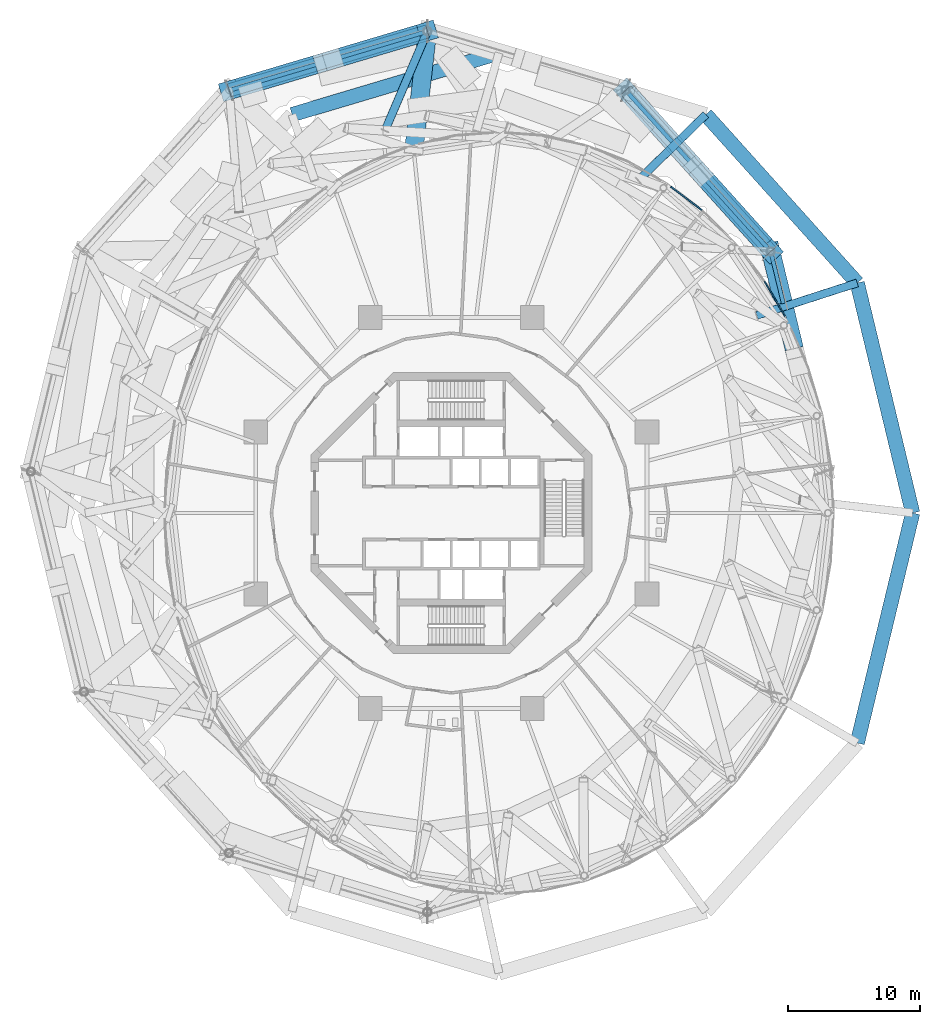
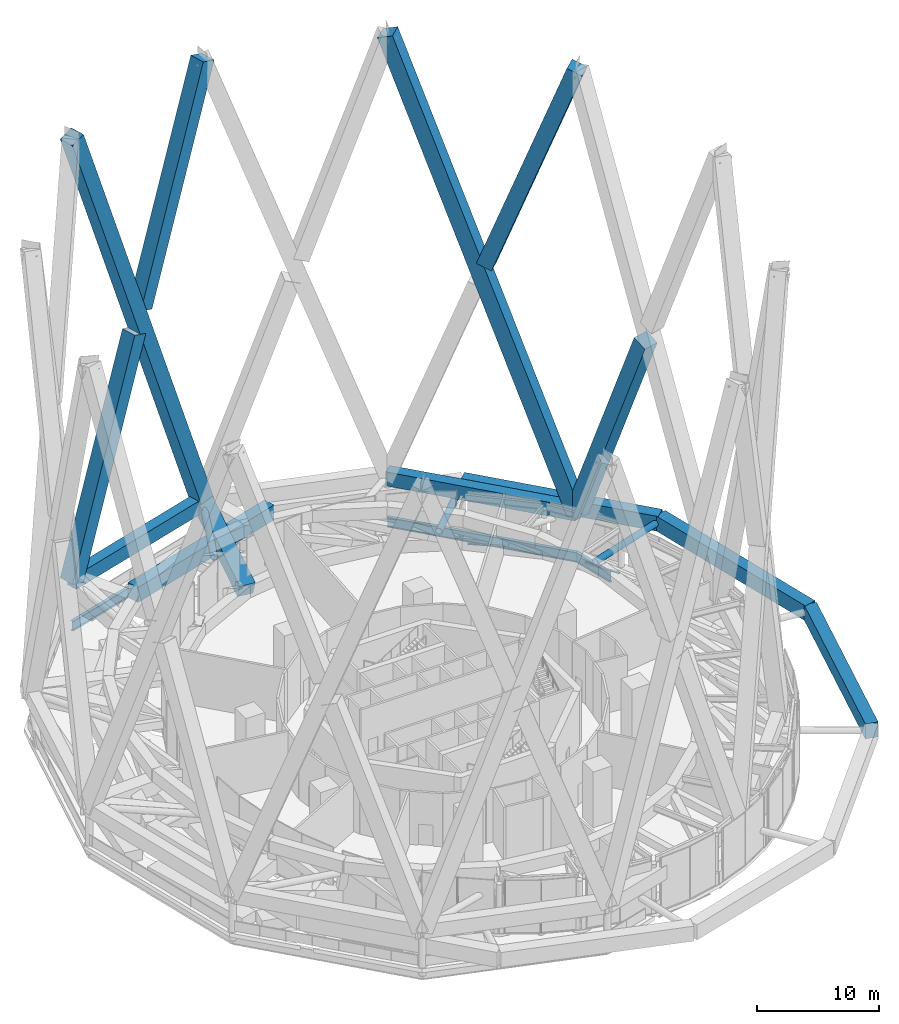
# One storey, part 45 of 60: 18 members, 3 beams, 2 elements without a shape of their own.
"""IFC4 building model written with IfcOpenShell, lengths in metres."""

from ifc_helpers import new_model, si_unit, direction, frame, origin, origin_2d, place, context, subcontext, project, spatial, rectangle, hollow_circle, i_section, extrude, material, layer, layer_set, material_profile, profile_set, type_object, element, aggregate, save


model = new_model("IFC4")

# Units and contexts
model_context = context("Model", 3, precision=1e-05, world=origin(), true_north=direction((0.0, 1.0)))
body_context = subcontext(model_context, "Body", "Model", "MODEL_VIEW")
ifc_project = project(units=[si_unit("LENGTHUNIT", "METRE"), si_unit("AREAUNIT", "SQUARE_METRE"), si_unit("VOLUMEUNIT", "CUBIC_METRE"), si_unit("PLANEANGLEUNIT", "RADIAN"), si_unit("MASSUNIT", "GRAM", prefix="KILO")], contexts=[model_context])

# Site, building, storey
site_placement = place(None, origin())
site = spatial("IfcSite", under=ifc_project, at=site_placement, CompositionType="ELEMENT")
building_placement = place(site_placement, origin())
building = spatial("IfcBuilding", under=site, at=building_placement, Name="Nagisa Residences", CompositionType="ELEMENT")
storey_placement = place(building_placement, frame((0.0, 0.0, 206.60009765625)))
storey = spatial("IfcBuildingStorey", under=building, at=storey_placement, Name="L52", CompositionType="ELEMENT", Elevation=206.60009765625)

# Curtain wall, member
ifc_material_1 = material(Name="Aluminium curtain wall system", Category="aluminium")
ifc_layer = layer(ifc_material_1, 0.159912109375)
ifc_layer_set = layer_set([ifc_layer], Name="CW5 CURTAIN WALL")
curtain_wall_type = type_object("IfcCurtainWallType", Name="CW5 CURTAIN WALL", PredefinedType="NOTDEFINED", material=ifc_layer_set)
curtain_wall_1_placement = place(storey_placement, origin())
curtain_wall_1 = element("IfcCurtainWall", 1, at=curtain_wall_1_placement, inside=storey, type_object=curtain_wall_type, Name="cw:CW5:L52:04", PredefinedType="NOTDEFINED")
ifc_material_2 = material(Name="Aluminium", Category="aluminium")
ifc_material_profile_1 = material_profile(ifc_material_2, rectangle(XDim=0.10009765625, YDim=0.1201171875, at=origin_2d()), Name="CW5 TRANSOM 100x120")
ifc_profile_set_1 = profile_set([ifc_material_profile_1], Name="Aluminium")
member_type_1 = type_object("IfcMemberType", Name="CW5 TRANSOM 100x120", PredefinedType="USERDEFINED", material=ifc_profile_set_1)
member_1_placement = place(storey_placement, frame((25.278564453125, 14.78515625, 0.059814453125), z_axis=(-0.506351440245, 0.862327211076, 0.0), x_axis=(-0.862327211076, -0.506351440245, 0.0)))
member_1 = element("IfcMember", 2, at=member_1_placement, type_object=member_type_1, Name="CW5 transom", ObjectType="TRANSOM", PredefinedType="USERDEFINED", context=body_context, shape_type="SweptSolid", body=[
    extrude(rectangle(XDim=0.10009765625, YDim=0.1201171875, at=origin_2d()), origin(), (0.0, 0.0, 1.0), 3.19189453125),
])
aggregate(curtain_wall_1, [member_1])

curtain_wall_2_placement = place(storey_placement, origin())
curtain_wall_2 = element("IfcCurtainWall", 3, at=curtain_wall_2_placement, inside=storey, type_object=curtain_wall_type, Name="cw:CW5:L52:07", PredefinedType="NOTDEFINED")
member_2_placement = place(storey_placement, frame((18.998779296875, 22.844482421875, 0.059814453125), z_axis=(-0.796020258736, 0.605269979167, 0.0), x_axis=(-0.605269979167, -0.796020258736, 0.0)))
member_2 = element("IfcMember", 4, at=member_2_placement, type_object=member_type_1, Name="CW5 transom", ObjectType="TRANSOM", PredefinedType="USERDEFINED", context=body_context, shape_type="SweptSolid", body=[
    extrude(rectangle(XDim=0.10009765625, YDim=0.1201171875, at=origin_2d()), origin(), (0.0, 0.0, 1.0), 3.0166015625),
])
aggregate(curtain_wall_2, [member_2])

# Members
ifc_material_3 = material(Name="Concrete C80", Category="concrete")
ifc_material_profile_2 = material_profile(ifc_material_3, rectangle(XDim=1.39990234375, YDim=1.39990234375, at=origin_2d()), Name="C80 1400x1400")
ifc_profile_set_2 = profile_set([ifc_material_profile_2], Name="Concrete C80")
member_type_2 = type_object("IfcMemberType", Name="Cage bracket 5 C80 1400x1400", PredefinedType="BRACE", material=ifc_profile_set_2)
member_3_placement = place(storey_placement, frame((-1.800048828125, 36.40771484375, 3.699951171875), z_axis=(-0.108416987116, -0.939902864311, -0.323772084288), x_axis=(0.993412948183, -0.114589329273, 0.0)))
element("IfcMember", 5, at=member_3_placement, inside=storey, type_object=member_type_2, Name="mem:L52:cg4ob01", PredefinedType="BRACE", context=body_context, shape_type="SweptSolid", body=[
    extrude(rectangle(XDim=1.39990234375, YDim=1.39990234375, at=origin_2d()), origin(), (0.0, 0.0, 1.0), 9.574951171875),
])
ifc_material_4 = material(Name="Concrete C80", Category="concrete")
ifc_material_profile_3 = material_profile(ifc_material_4, rectangle(XDim=1.39990234375, YDim=1.39990234375, at=origin_2d()), Name="C80 1400x1400")
ifc_profile_set_3 = profile_set([ifc_material_profile_3], Name="Concrete C80")
member_type_3 = type_object("IfcMemberType", Name="Cage diagonal 5 C80 1400x1400", PredefinedType="BRACE", material=ifc_profile_set_3)
member_4_placement = place(storey_placement, frame((24.15478515625, 19.7626953125, 3.699951171875), z_axis=(0.084212840341, -0.349092719603, 0.933296560929), x_axis=(0.972114541375, 0.234506542442, 0.0)))
element("IfcMember", 6, at=member_4_placement, inside=storey, type_object=member_type_3, Name="mem:L52:cg5d002a", PredefinedType="BRACE", context=body_context, shape_type="SweptSolid", body=[
    extrude(rectangle(XDim=1.39990234375, YDim=1.39990234375, at=origin_2d()), origin(), (0.0, 0.0, 1.0), 22.81591796875),
])
member_5_placement = place(storey_placement, frame((24.15478515625, 19.7626953125, 3.699951171875), z_axis=(-0.231310436401, 0.25693723584, 0.938338285935), x_axis=(-0.743197883357, -0.669071674915, 0.0)))
element("IfcMember", 7, at=member_5_placement, inside=storey, type_object=member_type_3, Name="mem:L52:cg5d003", PredefinedType="BRACE", context=body_context, shape_type="SweptSolid", body=[
    extrude(rectangle(XDim=1.39990234375, YDim=1.39990234375, at=origin_2d()), origin(), (0.0, 0.0, 1.0), 47.42431640625),
])
member_6_placement = place(storey_placement, frame((18.914794921875, 25.5830078125, 26.943603515625), z_axis=(0.231313832121, -0.256931545346, 0.938339007009), x_axis=(0.743185630651, 0.669085284843, 0.0)))
element("IfcMember", 8, at=member_6_placement, inside=storey, type_object=member_type_3, Name="mem:L52:cg5d004b", PredefinedType="BRACE", context=body_context, shape_type="SweptSolid", body=[
    extrude(rectangle(XDim=1.39990234375, YDim=1.39990234375, at=origin_2d()), origin(), (0.0, 0.0, 1.0), 22.653076171875),
])
member_7_placement = place(storey_placement, frame((-1.800048828125, 36.40771484375, 3.699951171875), z_axis=(-0.317700786069, -0.094557625858, 0.943464395684), x_axis=(0.285264182648, -0.958448927225, 0.0)))
element("IfcMember", 9, at=member_7_placement, inside=storey, type_object=member_type_3, Name="mem:L52:cg5d007", PredefinedType="BRACE", context=body_context, shape_type="SweptSolid", body=[
    extrude(rectangle(XDim=1.39990234375, YDim=1.39990234375, at=origin_2d()), origin(), (0.0, 0.0, 1.0), 47.16650390625),
])
member_8_placement = place(storey_placement, frame((-16.784912109375, 31.94775390625, 3.699951171875), z_axis=(0.317705408319, 0.094554793248, 0.943463123073), x_axis=(-0.285252520058, 0.958452398297, 0.0)))
element("IfcMember", 10, at=member_8_placement, inside=storey, type_object=member_type_3, Name="mem:L52:cg5d008a", PredefinedType="BRACE", context=body_context, shape_type="SweptSolid", body=[
    extrude(rectangle(XDim=1.39990234375, YDim=1.39990234375, at=origin_2d()), origin(), (0.0, 0.0, 1.0), 22.484130859375),
])
member_9_placement = place(storey_placement, frame((-8.943359375, 34.28173828125, 26.98681640625), z_axis=(0.317702153622, 0.094553824592, 0.943464316145), x_axis=(-0.285252520058, 0.958452398297, 0.0)))
element("IfcMember", 11, at=member_9_placement, inside=storey, type_object=member_type_3, Name="mem:L52:cg5d008b", PredefinedType="BRACE", context=body_context, shape_type="SweptSolid", body=[
    extrude(rectangle(XDim=1.39990234375, YDim=1.39990234375, at=origin_2d()), origin(), (0.0, 0.0, 1.0), 22.484375),
])
ifc_material_5 = material(Name="Concrete C80", Category="concrete")
ifc_material_profile_4 = material_profile(ifc_material_5, rectangle(XDim=1.10009765625, YDim=1.5, at=origin_2d()), Name="C80 1100x1500")
ifc_profile_set_4 = profile_set([ifc_material_profile_4], Name="Concrete C80")
member_type_4 = type_object("IfcMemberType", Name="Cage ring 4 C80 1100x1500", PredefinedType="CHORD", material=ifc_profile_set_4)
member_10_placement = place(storey_placement, frame((34.875, 0.0, 1.89990234375), z_axis=(-0.234269116227, 0.972171785839, 0.0), x_axis=(-0.972171785839, -0.234269116227, 0.0)))
element("IfcMember", 12, at=member_10_placement, inside=storey, type_object=member_type_4, Name="beam:L52:cg4r101", PredefinedType="CHORD", context=body_context, shape_type="SweptSolid", body=[
    extrude(rectangle(XDim=1.10009765625, YDim=1.5, at=origin_2d()), origin(), (0.0, 0.0, 1.0), 17.88525390625),
])
member_11_placement = place(storey_placement, frame((30.68505859375, 17.387451171875, 1.89990234375), z_axis=(-0.668701524024, 0.743530948763, 0.0), x_axis=(-0.743530948763, -0.668701524024, 0.0)))
element("IfcMember", 13, at=member_11_placement, inside=storey, type_object=member_type_4, Name="beam:L52:cg4r102", PredefinedType="CHORD", context=body_context, shape_type="SweptSolid", body=[
    extrude(rectangle(XDim=1.10009765625, YDim=1.5, at=origin_2d()), origin(), (0.0, 0.0, 1.0), 17.118896484375),
])
member_12_placement = place(storey_placement, frame((3.60009765625, 34.77490234375, 1.89990234375), z_axis=(-0.958370614104, -0.285527172125, 0.0), x_axis=(0.285527172125, -0.958370614104, 0.0)))
element("IfcMember", 14, at=member_12_placement, inside=storey, type_object=member_type_4, Name="beam:L52:cg4r104", PredefinedType="CHORD", context=body_context, shape_type="SweptSolid", body=[
    extrude(rectangle(XDim=1.10009765625, YDim=1.5, at=origin_2d()), origin(), (0.0, 0.0, 1.0), 16.31689453125),
])
member_13_placement = place(storey_placement, frame((30.68505859375, -17.387451171875, 1.89990234375), z_axis=(0.234269116227, 0.972171785839, 0.0), x_axis=(-0.972171785839, 0.234269116227, 0.0)))
element("IfcMember", 15, at=member_13_placement, inside=storey, type_object=member_type_4, Name="beam:L52:cg4r112", PredefinedType="CHORD", context=body_context, shape_type="SweptSolid", body=[
    extrude(rectangle(XDim=1.10009765625, YDim=1.5, at=origin_2d()), origin(), (0.0, 0.0, 1.0), 17.88525390625),
])
ifc_material_6 = material(Name="Concrete C80", Category="concrete")
ifc_material_profile_5 = material_profile(ifc_material_6, rectangle(XDim=1.0, YDim=1.39990234375, at=origin_2d()), Name="C80 1000x1400")
ifc_profile_set_5 = profile_set([ifc_material_profile_5], Name="Concrete C80")
member_type_5 = type_object("IfcMemberType", Name="Cage ring 5 C80 1000x1400", PredefinedType="CHORD", material=ifc_profile_set_5)
member_14_placement = place(storey_placement, frame((24.15478515625, 19.7626953125, 3.699951171875), z_axis=(-0.669071674915, 0.743197883357, 0.0), x_axis=(-0.743197883357, -0.669071674915, 0.0)))
element("IfcMember", 16, at=member_14_placement, inside=storey, type_object=member_type_5, Name="beam:L52:cg5r002", PredefinedType="CHORD", context=body_context, shape_type="SweptSolid", body=[
    extrude(rectangle(XDim=1.0, YDim=1.39990234375, at=origin_2d()), origin(), (0.0, 0.0, 1.0), 16.3955078125),
])
member_15_placement = place(storey_placement, frame((-1.800048828125, 36.40771484375, 3.699951171875), z_axis=(-0.958448927225, -0.285264182648, 0.0), x_axis=(0.285264182648, -0.958448927225, 0.0)))
element("IfcMember", 17, at=member_15_placement, inside=storey, type_object=member_type_5, Name="beam:L52:cg5r004", PredefinedType="CHORD", context=body_context, shape_type="SweptSolid", body=[
    extrude(rectangle(XDim=1.0, YDim=1.39990234375, at=origin_2d()), origin(), (0.0, 0.0, 1.0), 15.634521484375),
])
ifc_material_7 = material(Name="Steel ASTM A572 Gr 65", Category="steel")
ifc_material_profile_6 = material_profile(ifc_material_7, hollow_circle(Radius=0.304931640625, WallThickness=0.02490234375, at=origin_2d()), Name="CHS 610x25")
ifc_profile_set_6 = profile_set([ifc_material_profile_6], Name="Steel ASTM A572 Gr 65")
member_type_6 = type_object("IfcMemberType", Name="Cage strut CHS 610x25", PredefinedType="STRUT", material=ifc_profile_set_6)
member_16_placement = place(storey_placement, frame((30.68505859375, 17.387451171875, 1.89990234375), z_axis=(-0.951537766506, -0.307531915276, 0.0), x_axis=(0.307531915276, -0.951537766506, 0.0)))
element("IfcMember", 18, at=member_16_placement, inside=storey, type_object=member_type_6, Name="mem:L52:bt4st4a02", PredefinedType="STRUT", context=body_context, shape_type="SweptSolid", body=[
    extrude(hollow_circle(Radius=0.304931640625, WallThickness=0.02490234375, at=origin_2d()), origin(), (0.0, 0.0, 1.0), 7.97998046875),
])
member_17_placement = place(storey_placement, frame((19.237548828125, 30.115966796875, 1.89990234375), z_axis=(-0.716406235797, -0.697683384718, 0.0), x_axis=(0.697683384718, -0.716406235797, 0.0)))
element("IfcMember", 19, at=member_17_placement, inside=storey, type_object=member_type_6, Name="mem:L52:bt4st4a03", PredefinedType="STRUT", context=body_context, shape_type="SweptSolid", body=[
    extrude(hollow_circle(Radius=0.304931640625, WallThickness=0.02490234375, at=origin_2d()), origin(), (0.0, 0.0, 1.0), 7.11962890625),
])
member_18_placement = place(storey_placement, frame((-1.800048828125, 36.40771484375, 3.699951171875), z_axis=(-0.393785612153, -0.919202312693, 0.0), x_axis=(0.919202312693, -0.393785612153, 0.0)))
element("IfcMember", 20, at=member_18_placement, inside=storey, type_object=member_type_6, Name="mem:L52:bt4st5b04", PredefinedType="STRUT", context=body_context, shape_type="SweptSolid", body=[
    extrude(hollow_circle(Radius=0.304931640625, WallThickness=0.02490234375, at=origin_2d()), origin(), (0.0, 0.0, 1.0), 8.1552734375),
])

# Beams
ifc_material_8 = material(Name="Steel ASTM A572 Gr 50", Category="steel")
ifc_material_profile_7 = material_profile(ifc_material_8, i_section(OverallWidth=0.300048828125, OverallDepth=0.97998046875, WebThickness=0.0166015625, FlangeThickness=0.02587890625, at=origin_2d()), Name="W1000x249")
ifc_profile_set_7 = profile_set([ifc_material_profile_7], Name="Steel ASTM A572 Gr 50")
beam_type = type_object("IfcBeamType", Name="Deck edge beam W1000x249", PredefinedType="BEAM", material=ifc_profile_set_7)
beam_1_placement = place(storey_placement, frame((25.10205078125, 15.836181640625, -0.89013671875), z_axis=(-0.234520391565, 0.972111200398, 0.0), x_axis=(-0.972111200398, -0.234520391565, 0.0)))
element("IfcBeam", 21, at=beam_1_placement, inside=storey, type_object=beam_type, Name="beam:L52:deckedge01", PredefinedType="BEAM", context=body_context, shape_type="SweptSolid", body=[
    extrude(i_section(OverallWidth=0.300048828125, OverallDepth=0.97998046875, WebThickness=0.0166015625, FlangeThickness=0.02587890625, at=origin_2d()), origin(), (0.0, 0.0, 1.0), 4.0390625),
])
beam_2_placement = place(storey_placement, frame((24.15478515625, 19.7626953125, -0.89013671875), z_axis=(-0.669071674915, 0.743197883357, 0.0), x_axis=(-0.743197883357, -0.669071674915, 0.0)))
element("IfcBeam", 22, at=beam_2_placement, inside=storey, type_object=beam_type, Name="beam:L52:deckedge02", PredefinedType="BEAM", context=body_context, shape_type="SweptSolid", body=[
    extrude(i_section(OverallWidth=0.300048828125, OverallDepth=0.97998046875, WebThickness=0.0166015625, FlangeThickness=0.02587890625, at=origin_2d()), origin(), (0.0, 0.0, 1.0), 16.3955078125),
])
beam_3_placement = place(storey_placement, frame((-1.800048828125, 36.40771484375, -0.89013671875), z_axis=(-0.958448927225, -0.285264182648, 0.0), x_axis=(0.285264182648, -0.958448927225, 0.0)))
element("IfcBeam", 23, at=beam_3_placement, inside=storey, type_object=beam_type, Name="beam:L52:deckedge04", PredefinedType="BEAM", context=body_context, shape_type="SweptSolid", body=[
    extrude(i_section(OverallWidth=0.300048828125, OverallDepth=0.97998046875, WebThickness=0.0166015625, FlangeThickness=0.02587890625, at=origin_2d()), origin(), (0.0, 0.0, 1.0), 15.634521484375),
])

save(model, "model.ifc")
